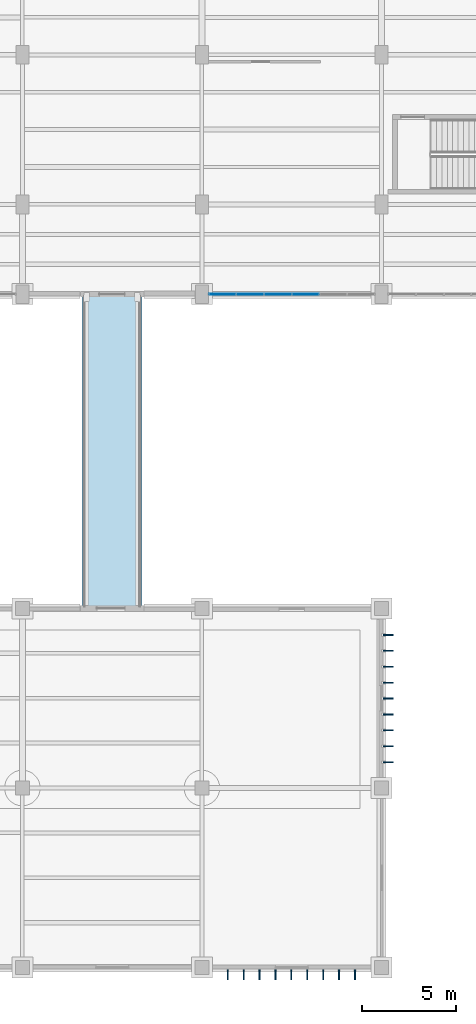
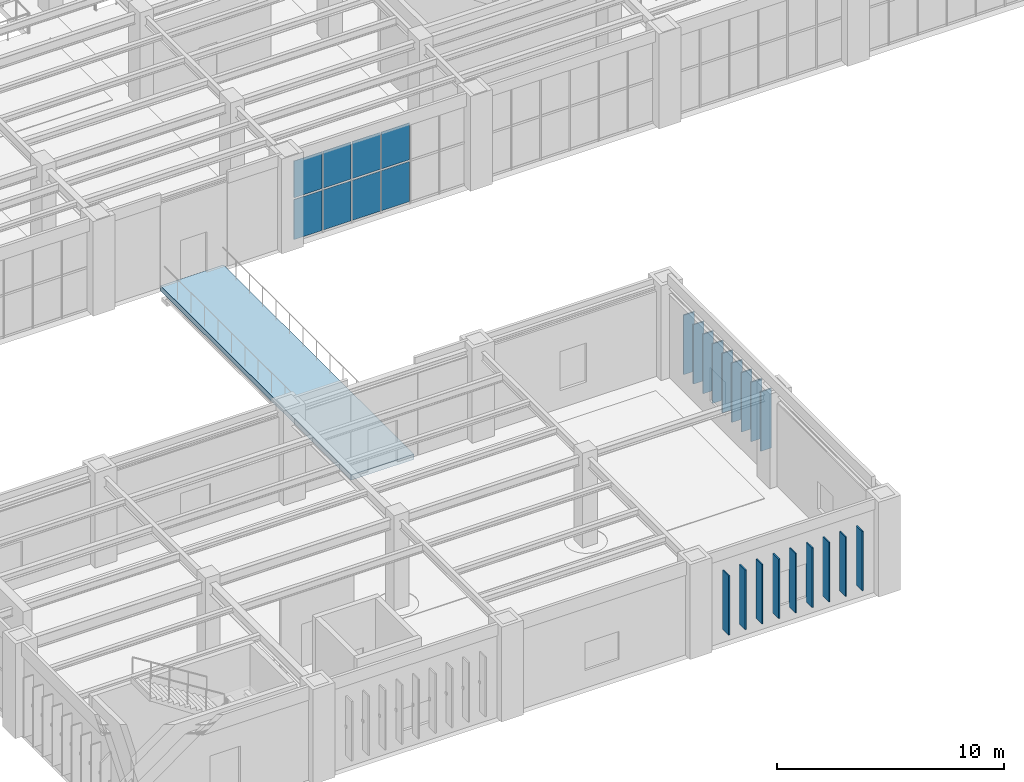
# One storey, part 136 of 174: 26 plates, 1 slab, 1 element without a shape of its own.
"""IFC4 building model written with IfcOpenShell, lengths in metres."""

from ifc_helpers import new_model, si_unit, direction, frame, origin, origin_2d, place, context, subcontext, project, spatial, polyline, rectangle, outline, extrude, material, layer, layer_set, type_object, element, aggregate, save


model = new_model("IFC4")

# Units and contexts
model_context = context("Model", 3, precision=1e-05, world=origin(), true_north=direction((0.0, 1.0)))
body_context = subcontext(model_context, "Body", "Model", "MODEL_VIEW")
ifc_project = project(units=[si_unit("LENGTHUNIT", "METRE"), si_unit("AREAUNIT", "SQUARE_METRE"), si_unit("VOLUMEUNIT", "CUBIC_METRE"), si_unit("PLANEANGLEUNIT", "RADIAN"), si_unit("MASSUNIT", "GRAM", prefix="KILO")], contexts=[model_context])

# Site, building, storey
site_placement = place(None, origin())
site = spatial("IfcSite", under=ifc_project, at=site_placement, CompositionType="ELEMENT")
building_placement = place(site_placement, origin())
building = spatial("IfcBuilding", under=site, at=building_placement, Name="Mavantir Sound Aquarium", CompositionType="ELEMENT")
storey_placement = place(building_placement, frame((0.0, 0.0, 5.39990234375)))
storey = spatial("IfcBuildingStorey", under=building, at=storey_placement, Name="L01", CompositionType="ELEMENT", Elevation=5.39990234375)

# Curtain wall, plates
ifc_material_1 = material(Name="Anodised Marine Aluminium and Low-E Glass", Category="aluminium")
curtain_wall_type = type_object("IfcCurtainWallType", Name="CW-T04", PredefinedType="USERDEFINED", material=ifc_material_1)
curtain_wall_placement = place(storey_placement, origin())
curtain_wall = element("IfcCurtainWall", 1, at=curtain_wall_placement, inside=storey, type_object=curtain_wall_type, Name="L01 unitised curtain wall CW-04 100", ObjectType="UNITISED GLAZING", PredefinedType="USERDEFINED")
ifc_material_2 = material(Name="Solar-Control Laminated Low-E Glass", Category="glass")
ifc_layer_1 = layer(ifc_material_2, 0.031982421875, Name="Solar-Control Laminated Low-E Glass")
ifc_layer_set_1 = layer_set([ifc_layer_1], Name="Solar-Control Laminated Low-E Glass")
plate_type_1 = type_object("IfcPlateType", Name="CW-PNL-32", PredefinedType="CURTAIN_PANEL", material=ifc_layer_set_1)
plate_1_placement = place(storey_placement, frame((137.898193359375, 36.0, 0.10302734375), z_axis=(0.0, 0.0, 1.0), x_axis=(1.0, 0.0, 0.0)))
plate_1 = element("IfcPlate", 2, at=plate_1_placement, type_object=plate_type_1, Name="CW-L01-100 glazed curtain panel 1.1", PredefinedType="CURTAIN_PANEL", context=body_context, shape_type="SweptSolid", body=[
    extrude(rectangle(XDim=1.4326171875, YDim=0.031982421875, at=origin_2d()), origin(), (0.0, 0.0, 1.0), 2.15673828125),
])
plate_2_placement = place(storey_placement, frame((137.898193359375, 36.0, 2.35595703125), z_axis=(0.0, 0.0, 1.0), x_axis=(1.0, 0.0, 0.0)))
plate_2 = element("IfcPlate", 3, at=plate_2_placement, type_object=plate_type_1, Name="CW-L01-100 glazed curtain panel 1.2", PredefinedType="CURTAIN_PANEL", context=body_context, shape_type="SweptSolid", body=[
    extrude(rectangle(XDim=1.4326171875, YDim=0.031982421875, at=origin_2d()), origin(), (0.0, 0.0, 1.0), 1.979248046875),
])
plate_3_placement = place(storey_placement, frame((139.37890625, 36.0, 0.10302734375), z_axis=(0.0, 0.0, 1.0), x_axis=(1.0, 0.0, 0.0)))
plate_3 = element("IfcPlate", 4, at=plate_3_placement, type_object=plate_type_1, Name="CW-L01-100 glazed curtain panel 2.1", PredefinedType="CURTAIN_PANEL", context=body_context, shape_type="SweptSolid", body=[
    extrude(rectangle(XDim=1.4326171875, YDim=0.031982421875, at=origin_2d()), origin(), (0.0, 0.0, 1.0), 2.15673828125),
])
plate_4_placement = place(storey_placement, frame((139.37890625, 36.0, 2.35595703125), z_axis=(0.0, 0.0, 1.0), x_axis=(1.0, 0.0, 0.0)))
plate_4 = element("IfcPlate", 5, at=plate_4_placement, type_object=plate_type_1, Name="CW-L01-100 glazed curtain panel 2.2", PredefinedType="CURTAIN_PANEL", context=body_context, shape_type="SweptSolid", body=[
    extrude(rectangle(XDim=1.4326171875, YDim=0.031982421875, at=origin_2d()), origin(), (0.0, 0.0, 1.0), 1.979248046875),
])
plate_5_placement = place(storey_placement, frame((140.859619140625, 36.0, 0.10302734375), z_axis=(0.0, 0.0, 1.0), x_axis=(1.0, 0.0, 0.0)))
plate_5 = element("IfcPlate", 6, at=plate_5_placement, type_object=plate_type_1, Name="CW-L01-100 glazed curtain panel 3.1", PredefinedType="CURTAIN_PANEL", context=body_context, shape_type="SweptSolid", body=[
    extrude(rectangle(XDim=1.4326171875, YDim=0.031982421875, at=origin_2d()), origin(), (0.0, 0.0, 1.0), 2.15673828125),
])
plate_6_placement = place(storey_placement, frame((140.859619140625, 36.0, 2.35595703125), z_axis=(0.0, 0.0, 1.0), x_axis=(1.0, 0.0, 0.0)))
plate_6 = element("IfcPlate", 7, at=plate_6_placement, type_object=plate_type_1, Name="CW-L01-100 glazed curtain panel 3.2", PredefinedType="CURTAIN_PANEL", context=body_context, shape_type="SweptSolid", body=[
    extrude(rectangle(XDim=1.4326171875, YDim=0.031982421875, at=origin_2d()), origin(), (0.0, 0.0, 1.0), 1.979248046875),
])
plate_7_placement = place(storey_placement, frame((142.34033203125, 36.0, 0.10302734375), z_axis=(0.0, 0.0, 1.0), x_axis=(1.0, 0.0, 0.0)))
plate_7 = element("IfcPlate", 8, at=plate_7_placement, type_object=plate_type_1, Name="CW-L01-100 glazed curtain panel 4.1", PredefinedType="CURTAIN_PANEL", context=body_context, shape_type="SweptSolid", body=[
    extrude(rectangle(XDim=1.4326171875, YDim=0.031982421875, at=origin_2d()), origin(), (0.0, 0.0, 1.0), 2.15673828125),
])
plate_8_placement = place(storey_placement, frame((142.34033203125, 36.0, 2.35595703125), z_axis=(0.0, 0.0, 1.0), x_axis=(1.0, 0.0, 0.0)))
plate_8 = element("IfcPlate", 9, at=plate_8_placement, type_object=plate_type_1, Name="CW-L01-100 glazed curtain panel 4.2", PredefinedType="CURTAIN_PANEL", context=body_context, shape_type="SweptSolid", body=[
    extrude(rectangle(XDim=1.4326171875, YDim=0.031982421875, at=origin_2d()), origin(), (0.0, 0.0, 1.0), 1.979248046875),
])
aggregate(curtain_wall, [plate_1, plate_2, plate_3, plate_4, plate_5, plate_6, plate_7, plate_8])

# Plates
ifc_material_3 = material(Name="Coral-Limestone Composite Brise-Soleil Blade", Category="masonry")
ifc_layer_2 = layer(ifc_material_3, 0.06494140625, Name="Coral-Limestone Composite Brise-Soleil Blade")
ifc_layer_set_2 = layer_set([ifc_layer_2], Name="Coral-Limestone Composite Brise-Soleil Blade")
plate_type_2 = type_object("IfcPlateType", Name="PLT-FIN-520", PredefinedType="SHEET", material=ifc_layer_set_2)
for number, where, z_axis, x_axis, name in (
    (10, (146.760009765625, 10.98291015625, 0.63916015625), (0.0, 0.0, 1.0), (0.0, -1.0, 0.0), "Tropical coral-stone brise-soleil blade 29"),
    (11, (146.760009765625, 11.8330078125, 0.63916015625), (0.0, 0.0, 1.0), (0.0, -1.0, 0.0), "Tropical coral-stone brise-soleil blade 30"),
    (12, (146.760009765625, 12.68310546875, 0.63916015625), (0.0, 0.0, 1.0), (0.0, -1.0, 0.0), "Tropical coral-stone brise-soleil blade 31"),
    (13, (146.760009765625, 13.532958984375, 0.63916015625), (0.0, 0.0, 1.0), (0.0, -1.0, 0.0), "Tropical coral-stone brise-soleil blade 32"),
    (14, (146.760009765625, 14.383056640625, 0.63916015625), (0.0, 0.0, 1.0), (0.0, -1.0, 0.0), "Tropical coral-stone brise-soleil blade 33"),
    (15, (146.760009765625, 15.23291015625, 0.63916015625), (0.0, 0.0, 1.0), (0.0, -1.0, 0.0), "Tropical coral-stone brise-soleil blade 34"),
    (16, (146.760009765625, 16.0830078125, 0.63916015625), (0.0, 0.0, 1.0), (0.0, -1.0, 0.0), "Tropical coral-stone brise-soleil blade 35"),
    (17, (146.760009765625, 16.93310546875, 0.63916015625), (0.0, 0.0, 1.0), (0.0, -1.0, 0.0), "Tropical coral-stone brise-soleil blade 36"),
    (18, (146.760009765625, 17.782958984375, 0.63916015625), (0.0, 0.0, 1.0), (0.0, -1.0, 0.0), "Tropical coral-stone brise-soleil blade 37"),
    (19, (138.18310546875, -0.375, 0.69140625), (0.0, 0.0, 1.0), (-1.0, 0.0, 0.0), "Tropical coral-stone brise-soleil blade 65"),
    (20, (139.032958984375, -0.375, 0.69140625), (0.0, 0.0, 1.0), (-1.0, 0.0, 0.0), "Tropical coral-stone brise-soleil blade 66"),
    (21, (139.883056640625, -0.375, 0.69140625), (0.0, 0.0, 1.0), (-1.0, 0.0, 0.0), "Tropical coral-stone brise-soleil blade 67"),
    (22, (140.73291015625, -0.375, 0.69140625), (0.0, 0.0, 1.0), (-1.0, 0.0, 0.0), "Tropical coral-stone brise-soleil blade 68"),
    (23, (141.5830078125, -0.375, 0.69140625), (0.0, 0.0, 1.0), (-1.0, 0.0, 0.0), "Tropical coral-stone brise-soleil blade 69"),
    (24, (142.43310546875, -0.375, 0.69140625), (0.0, 0.0, 1.0), (-1.0, 0.0, 0.0), "Tropical coral-stone brise-soleil blade 70"),
    (25, (143.282958984375, -0.375, 0.69140625), (0.0, 0.0, 1.0), (-1.0, 0.0, 0.0), "Tropical coral-stone brise-soleil blade 71"),
    (26, (144.133056640625, -0.375, 0.69140625), (0.0, 0.0, 1.0), (-1.0, 0.0, 0.0), "Tropical coral-stone brise-soleil blade 72"),
    (27, (144.98291015625, -0.375, 0.69140625), (0.0, 0.0, 1.0), (-1.0, 0.0, 0.0), "Tropical coral-stone brise-soleil blade 73"),
):
    element("IfcPlate", number, at=place(storey_placement, frame(where, z_axis=z_axis, x_axis=x_axis)), inside=storey, type_object=plate_type_2, Name=name, PredefinedType="SHEET", context=body_context, shape_type="SweptSolid", body=[
        extrude(rectangle(XDim=0.06494140625, YDim=0.5400390625, at=origin_2d()), origin(), (0.0, 0.0, 1.0), 3.199951171875),
    ])

# Slab
ifc_material_4 = material(Name="Concrete C40/50", Category="concrete")
ifc_layer_3 = layer(ifc_material_4, 0.280029296875, Name="Concrete C40/50")
ifc_layer_set_3 = layer_set([ifc_layer_3], Name="Concrete C40/50")
slab_type = type_object("IfcSlabType", Name="SLB-BRS-01", PredefinedType="FLOOR", material=ifc_layer_set_3)
slab_placement = place(storey_placement, frame((0.0, 0.0, -0.27978515625)))
element("IfcSlab", 28, at=slab_placement, inside=storey, type_object=slab_type, Name="L01 outdoor bridge slab BRS-01", PredefinedType="FLOOR", context=body_context, shape_type="SweptSolid", body=[
    extrude(outline(polyline([(130.39990234375, 19.199951171875), (133.60009765625, 19.199951171875), (133.60009765625, 36.0), (130.39990234375, 36.0), (130.39990234375, 19.199951171875)])), origin(), (0.0, 0.0, 1.0), 0.27978515625),
])

save(model, "model.ifc")
